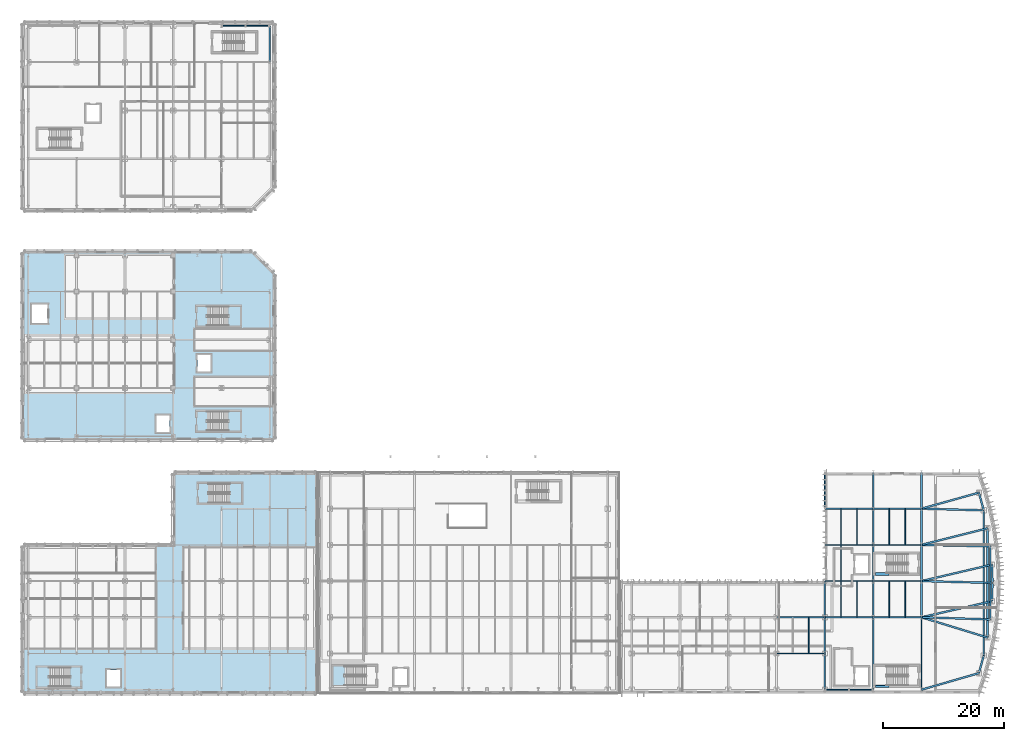
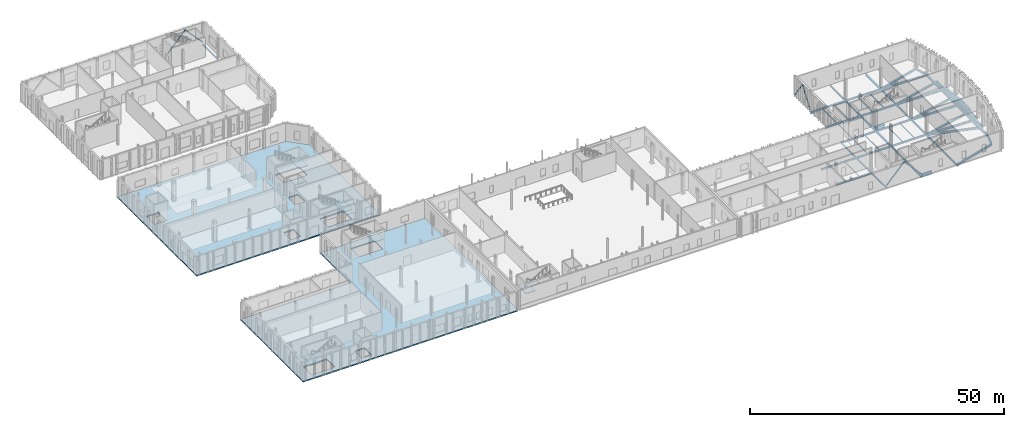
# One storey, part 14 of 60: 53 beams, 7 slabs, 6 members, 5 elements without a shape of their own.
"""IFC4 building model written with IfcOpenShell, lengths in metres."""

from ifc_helpers import new_model, si_unit, direction, frame, origin, origin_2d, place, context, subcontext, project, spatial, polyline, rectangle, hollow_circle, i_section, outline, extrude, material, layer, layer_set, material_profile, profile_set, type_object, element, aggregate, save


model = new_model("IFC4")

# Units and contexts
model_context = context("Model", 3, precision=1e-05, world=origin(), true_north=direction((0.0, 1.0)))
body_context = subcontext(model_context, "Body", "Model", "MODEL_VIEW")
ifc_project = project(units=[si_unit("LENGTHUNIT", "METRE"), si_unit("AREAUNIT", "SQUARE_METRE"), si_unit("VOLUMEUNIT", "CUBIC_METRE"), si_unit("PLANEANGLEUNIT", "RADIAN"), si_unit("MASSUNIT", "GRAM", prefix="KILO")], contexts=[model_context])

# Site, building, storey
site_placement = place(None, origin())
site = spatial("IfcSite", under=ifc_project, at=site_placement, CompositionType="ELEMENT")
building_placement = place(site_placement, origin())
building = spatial("IfcBuilding", under=site, at=building_placement, Name="Cymarion Research Institute", CompositionType="ELEMENT")
storey_placement = place(building_placement, origin())
storey = spatial("IfcBuildingStorey", under=building, at=storey_placement, Name="L00", CompositionType="ELEMENT", Elevation=0.0)

# Beams
ifc_material_1 = material(Name="Concrete C40/50", Category="concrete")
ifc_material_profile_1 = material_profile(ifc_material_1, rectangle(XDim=0.300048828125, YDim=0.75, at=origin_2d()), Name="RC 300x750")
ifc_profile_set_1 = profile_set([ifc_material_profile_1], Name="Concrete C40/50")
beam_type_1 = type_object("IfcBeamType", Name="COUPLING LINTEL LN01 RC 300x750", PredefinedType="LINTEL", material=ifc_profile_set_1)
beam_1_placement = place(storey_placement, frame((147.0, 6.050048828125, -0.695068359375), z_axis=(1.0, 0.0, 0.0), x_axis=(0.0, 1.0, 0.0)))
element("IfcBeam", 1, at=beam_1_placement, inside=storey, type_object=beam_type_1, Name="L00 C1 core coupling lintel LN01", PredefinedType="LINTEL", context=body_context, shape_type="SweptSolid", body=[
    extrude(rectangle(XDim=0.300048828125, YDim=0.75, at=origin_2d()), origin(), (0.0, 0.0, 1.0), 2.199951171875),
])
ifc_material_profile_2 = material_profile(ifc_material_1, rectangle(XDim=0.5, YDim=0.800048828125, at=origin_2d()), Name="RC 500x800")
ifc_profile_set_2 = profile_set([ifc_material_profile_2], Name="Concrete C40/50")
beam_type_2 = type_object("IfcBeamType", Name="COUPLING LINTEL LN03 RC 500x800", PredefinedType="LINTEL", material=ifc_profile_set_2)
beam_2_placement = place(storey_placement, frame((147.0, 24.64990234375, -0.719970703125), z_axis=(1.0, 0.0, 0.0), x_axis=(0.0, 1.0, 0.0)))
element("IfcBeam", 2, at=beam_2_placement, inside=storey, type_object=beam_type_2, Name="L00 C2 core coupling lintel LN03", PredefinedType="LINTEL", context=body_context, shape_type="SweptSolid", body=[
    extrude(rectangle(XDim=0.5, YDim=0.800048828125, at=origin_2d()), origin(), (0.0, 0.0, 1.0), 2.199951171875),
])
ifc_material_2 = material(Name="Steel S355", Category="steel")
ifc_material_profile_3 = material_profile(ifc_material_2, i_section(OverallWidth=0.199951171875, OverallDepth=0.5, WebThickness=0.01025390625, FlangeThickness=0.01611328125, FilletRadius=0.02099609375, at=origin_2d()), Name="IPE 500")
ifc_profile_set_3 = profile_set([ifc_material_profile_3], Name="Steel S355")
beam_type_3 = type_object("IfcBeamType", Name="PRIMARY GIRDER BM03 IPE 500", PredefinedType="BEAM", material=ifc_profile_set_3)
for number, where, z_axis, x_axis, name in (
    (3, (146.60009765625, 5.506103515625, -0.550048828125), (0.0, 1.0, 0.0), (-1.0, 0.0, 0.0), "L00 V1 girder BM03 #32"),
    (4, (154.60009765625, 5.506103515625, -0.550048828125), (0.0, 1.0, 0.0), (-1.0, 0.0, 0.0), "L00 V1 girder BM03 #37"),
):
    element("IfcBeam", number, at=place(storey_placement, frame(where, z_axis=z_axis, x_axis=x_axis)), inside=storey, type_object=beam_type_3, Name=name, PredefinedType="BEAM", context=body_context, shape_type="SweptSolid", body=[
        extrude(i_section(OverallWidth=0.199951171875, OverallDepth=0.5, WebThickness=0.01025390625, FlangeThickness=0.01611328125, FilletRadius=0.02099609375, at=origin_2d()), origin(), (0.0, 0.0, 1.0), 11.98779296875),
    ])
ifc_material_profile_4 = material_profile(ifc_material_2, i_section(OverallWidth=0.18994140625, OverallDepth=0.449951171875, WebThickness=0.009521484375, FlangeThickness=0.0146484375, FilletRadius=0.02099609375, at=origin_2d()), Name="IPE 450")
ifc_profile_set_4 = profile_set([ifc_material_profile_4], Name="Steel S355")
beam_type_4 = type_object("IfcBeamType", Name="PRIMARY GIRDER BM04 IPE 450", PredefinedType="BEAM", material=ifc_profile_set_4)
for number, where, z_axis, x_axis, name in (
    (5, (130.60595703125, 11.5, -0.52490234375), (1.0, 0.0, 0.0), (0.0, 1.0, 0.0), "L00 V1 girder BM04 #4"),
    (6, (130.60595703125, 17.5, -0.52490234375), (1.0, 0.0, 0.0), (0.0, 1.0, 0.0), "L00 V1 girder BM04 #8"),
    (7, (138.60595703125, 17.5, -0.52490234375), (1.0, 0.0, 0.0), (0.0, 1.0, 0.0), "L00 V1 girder BM04 #9"),
    (8, (146.60595703125, 17.5, -0.52490234375), (1.0, 0.0, 0.0), (0.0, 1.0, 0.0), "L00 V1 girder BM04 #10"),
    (9, (138.60595703125, 23.5, -0.52490234375), (1.0, 0.0, 0.0), (0.0, 1.0, 0.0), "L00 V1 girder BM04 #11"),
    (10, (146.60595703125, 23.5, -0.52490234375), (1.0, 0.0, 0.0), (0.0, 1.0, 0.0), "L00 V1 girder BM04 #12"),
    (11, (138.60595703125, 29.5, -0.52490234375), (1.0, 0.0, 0.0), (0.0, 1.0, 0.0), "L00 V1 girder BM04 #13"),
    (12, (146.60595703125, 29.5, -0.52490234375), (1.0, 0.0, 0.0), (0.0, 1.0, 0.0), "L00 V1 girder BM04 #14"),
    (13, (138.60595703125, 35.5, -0.52490234375), (1.0, 0.0, 0.0), (0.0, 1.0, 0.0), "L00 V1 girder BM04 #15"),
    (14, (146.60595703125, 35.5, -0.52490234375), (1.0, 0.0, 0.0), (0.0, 1.0, 0.0), "L00 V1 girder BM04 #16"),
):
    element("IfcBeam", number, at=place(storey_placement, frame(where, z_axis=z_axis, x_axis=x_axis)), inside=storey, type_object=beam_type_4, Name=name, PredefinedType="BEAM", context=body_context, shape_type="SweptSolid", body=[
        extrude(i_section(OverallWidth=0.18994140625, OverallDepth=0.449951171875, WebThickness=0.009521484375, FlangeThickness=0.0146484375, FilletRadius=0.02099609375, at=origin_2d()), origin(), (0.0, 0.0, 1.0), 7.988037109375),
    ])
ifc_material_profile_5 = material_profile(ifc_material_2, i_section(OverallWidth=0.300048828125, OverallDepth=0.550048828125, WebThickness=0.014892578125, FlangeThickness=0.029052734375, FilletRadius=0.027099609375, at=origin_2d()), Name="HEB 550")
ifc_profile_set_5 = profile_set([ifc_material_profile_5], Name="Steel S355")
beam_type_5 = type_object("IfcBeamType", Name="PRIMARY GIRDER BM08 HEB 550", PredefinedType="BEAM", material=ifc_profile_set_5)
beam_3_placement = place(storey_placement, frame((164.929931640625, 11.1787109375, -0.574951171875), z_axis=(0.0, 1.0, 0.0), x_axis=(-1.0, 0.0, 0.0)))
element("IfcBeam", 15, at=beam_3_placement, inside=storey, type_object=beam_type_5, Name="L00 V1 girder BM08 #42", PredefinedType="BEAM", context=body_context, shape_type="SweptSolid", body=[
    extrude(i_section(OverallWidth=0.300048828125, OverallDepth=0.550048828125, WebThickness=0.014892578125, FlangeThickness=0.029052734375, FilletRadius=0.027099609375, at=origin_2d()), origin(), (0.0, 0.0, 1.0), 24.04248046875),
])
beam_4_placement = place(storey_placement, frame((165.56005859375, 14.1474609375, -0.574951171875), z_axis=(0.0, 1.0, 0.0), x_axis=(-1.0, 0.0, 0.0)))
element("IfcBeam", 16, at=beam_4_placement, inside=storey, type_object=beam_type_5, Name="L00 V1 girder BM08 #43", PredefinedType="BEAM", context=body_context, shape_type="SweptSolid", body=[
    extrude(i_section(OverallWidth=0.300048828125, OverallDepth=0.550048828125, WebThickness=0.014892578125, FlangeThickness=0.029052734375, FilletRadius=0.027099609375, at=origin_2d()), origin(), (0.0, 0.0, 1.0), 18.10498046875),
])
beam_5_placement = place(storey_placement, frame((166.010009765625, 17.148681640625, -0.574951171875), z_axis=(0.0, 1.0, 0.0), x_axis=(-1.0, 0.0, 0.0)))
element("IfcBeam", 17, at=beam_5_placement, inside=storey, type_object=beam_type_5, Name="L00 V1 girder BM08 #44", PredefinedType="BEAM", context=body_context, shape_type="SweptSolid", body=[
    extrude(i_section(OverallWidth=0.300048828125, OverallDepth=0.550048828125, WebThickness=0.014892578125, FlangeThickness=0.029052734375, FilletRadius=0.027099609375, at=origin_2d()), origin(), (0.0, 0.0, 1.0), 12.1025390625),
])
ifc_material_profile_6 = material_profile(ifc_material_2, i_section(OverallWidth=0.300048828125, OverallDepth=0.5, WebThickness=0.014404296875, FlangeThickness=0.028076171875, FilletRadius=0.027099609375, at=origin_2d()), Name="HEB 500")
ifc_profile_set_6 = profile_set([ifc_material_profile_6], Name="Steel S355")
beam_type_6 = type_object("IfcBeamType", Name="PRIMARY GIRDER BM09 HEB 500", PredefinedType="BEAM", material=ifc_profile_set_6)
beam_6_placement = place(storey_placement, frame((154.607666015625, 5.502197265625, -0.550048828125), z_axis=(0.960790340878, 0.277275893067, 0.0), x_axis=(-0.277275893067, 0.960790340878, 0.0)))
element("IfcBeam", 18, at=beam_6_placement, inside=storey, type_object=beam_type_6, Name="L00 V1 radial prow girder BM09 #49", PredefinedType="BEAM", context=body_context, shape_type="SweptSolid", body=[
    extrude(i_section(OverallWidth=0.300048828125, OverallDepth=0.5, WebThickness=0.014404296875, FlangeThickness=0.028076171875, FilletRadius=0.027099609375, at=origin_2d()), origin(), (0.0, 0.0, 1.0), 9.8916015625),
])
beam_7_placement = place(storey_placement, frame((154.607666015625, 17.497802734375, -0.550048828125), z_axis=(0.956111343016, -0.29300358318, 0.0), x_axis=(0.29300358318, 0.956111343016, 0.0)))
element("IfcBeam", 19, at=beam_7_placement, inside=storey, type_object=beam_type_6, Name="L00 V1 radial prow girder BM09 #50", PredefinedType="BEAM", context=body_context, shape_type="SweptSolid", body=[
    extrude(i_section(OverallWidth=0.300048828125, OverallDepth=0.5, WebThickness=0.014404296875, FlangeThickness=0.028076171875, FilletRadius=0.027099609375, at=origin_2d()), origin(), (0.0, 0.0, 1.0), 11.447021484375),
])
beam_8_placement = place(storey_placement, frame((154.60791015625, 17.499755859375, -0.550048828125), z_axis=(0.999510612774, -0.03128154332, 0.0), x_axis=(0.03128154332, 0.999510612774, 0.0)))
element("IfcBeam", 20, at=beam_8_placement, inside=storey, type_object=beam_type_6, Name="L00 V1 radial prow girder BM09 #51", PredefinedType="BEAM", context=body_context, shape_type="SweptSolid", body=[
    extrude(i_section(OverallWidth=0.300048828125, OverallDepth=0.5, WebThickness=0.014404296875, FlangeThickness=0.028076171875, FilletRadius=0.027099609375, at=origin_2d()), origin(), (0.0, 0.0, 1.0), 11.402587890625),
])
beam_9_placement = place(storey_placement, frame((154.60791015625, 17.501708984375, -0.550048828125), z_axis=(0.974944767555, 0.222447072846, 0.0), x_axis=(-0.222447072846, 0.974944767555, 0.0)))
element("IfcBeam", 21, at=beam_9_placement, inside=storey, type_object=beam_type_6, Name="L00 V1 radial prow girder BM09 #52", PredefinedType="BEAM", context=body_context, shape_type="SweptSolid", body=[
    extrude(i_section(OverallWidth=0.300048828125, OverallDepth=0.5, WebThickness=0.014404296875, FlangeThickness=0.028076171875, FilletRadius=0.027099609375, at=origin_2d()), origin(), (0.0, 0.0, 1.0), 11.969482421875),
])
beam_10_placement = place(storey_placement, frame((154.60791015625, 23.499755859375, -0.550048828125), z_axis=(0.999675752574, -0.025463497715, 0.0), x_axis=(0.025463497715, 0.999675752574, 0.0)))
element("IfcBeam", 22, at=beam_10_placement, inside=storey, type_object=beam_type_6, Name="L00 V1 radial prow girder BM09 #53", PredefinedType="BEAM", context=body_context, shape_type="SweptSolid", body=[
    extrude(i_section(OverallWidth=0.300048828125, OverallDepth=0.5, WebThickness=0.014404296875, FlangeThickness=0.028076171875, FilletRadius=0.027099609375, at=origin_2d()), origin(), (0.0, 0.0, 1.0), 11.764404296875),
])
beam_11_placement = place(storey_placement, frame((154.60791015625, 23.501708984375, -0.550048828125), z_axis=(0.973701737176, 0.22782652835, 0.0), x_axis=(-0.22782652835, 0.973701737176, 0.0)))
element("IfcBeam", 23, at=beam_11_placement, inside=storey, type_object=beam_type_6, Name="L00 V1 radial prow girder BM09 #54", PredefinedType="BEAM", context=body_context, shape_type="SweptSolid", body=[
    extrude(i_section(OverallWidth=0.300048828125, OverallDepth=0.5, WebThickness=0.014404296875, FlangeThickness=0.028076171875, FilletRadius=0.027099609375, at=origin_2d()), origin(), (0.0, 0.0, 1.0), 11.98486328125),
])
beam_12_placement = place(storey_placement, frame((154.60791015625, 29.499755859375, -0.550048828125), z_axis=(0.999773836643, -0.021266771342, 0.0), x_axis=(0.021266771342, 0.999773836643, 0.0)))
element("IfcBeam", 24, at=beam_12_placement, inside=storey, type_object=beam_type_6, Name="L00 V1 radial prow girder BM09 #55", PredefinedType="BEAM", context=body_context, shape_type="SweptSolid", body=[
    extrude(i_section(OverallWidth=0.300048828125, OverallDepth=0.5, WebThickness=0.014404296875, FlangeThickness=0.028076171875, FilletRadius=0.027099609375, at=origin_2d()), origin(), (0.0, 0.0, 1.0), 11.399658203125),
])
beam_13_placement = place(storey_placement, frame((154.60791015625, 29.501953125, -0.550048828125), z_axis=(0.969753132193, 0.244087817399, 0.0), x_axis=(-0.244087817399, 0.969753132193, 0.0)))
element("IfcBeam", 25, at=beam_13_placement, inside=storey, type_object=beam_type_6, Name="L00 V1 radial prow girder BM09 #56", PredefinedType="BEAM", context=body_context, shape_type="SweptSolid", body=[
    extrude(i_section(OverallWidth=0.300048828125, OverallDepth=0.5, WebThickness=0.014404296875, FlangeThickness=0.028076171875, FilletRadius=0.027099609375, at=origin_2d()), origin(), (0.0, 0.0, 1.0), 11.285400390625),
])
beam_14_placement = place(storey_placement, frame((154.60791015625, 35.499755859375, -0.550048828125), z_axis=(0.999651753998, -0.026388837201, 0.0), x_axis=(0.026388837201, 0.999651753998, 0.0)))
element("IfcBeam", 26, at=beam_14_placement, inside=storey, type_object=beam_type_6, Name="L00 V1 radial prow girder BM09 #57", PredefinedType="BEAM", context=body_context, shape_type="SweptSolid", body=[
    extrude(i_section(OverallWidth=0.300048828125, OverallDepth=0.5, WebThickness=0.014404296875, FlangeThickness=0.028076171875, FilletRadius=0.027099609375, at=origin_2d()), origin(), (0.0, 0.0, 1.0), 10.315673828125),
])
beam_15_placement = place(storey_placement, frame((154.607666015625, 35.502197265625, -0.550048828125), z_axis=(0.963288176514, 0.26846953084, 0.0), x_axis=(-0.26846953084, 0.963288176514, 0.0)))
element("IfcBeam", 27, at=beam_15_placement, inside=storey, type_object=beam_type_6, Name="L00 V1 radial prow girder BM09 #58", PredefinedType="BEAM", context=body_context, shape_type="SweptSolid", body=[
    extrude(i_section(OverallWidth=0.300048828125, OverallDepth=0.5, WebThickness=0.014404296875, FlangeThickness=0.028076171875, FilletRadius=0.027099609375, at=origin_2d()), origin(), (0.0, 0.0, 1.0), 9.865966796875),
])
ifc_material_profile_7 = material_profile(ifc_material_2, i_section(OverallWidth=0.300048828125, OverallDepth=0.449951171875, WebThickness=0.013916015625, FlangeThickness=0.02587890625, FilletRadius=0.027099609375, at=origin_2d()), Name="HEB 450")
ifc_profile_set_7 = profile_set([ifc_material_profile_7], Name="Steel S355")
beam_type_7 = type_object("IfcBeamType", Name="PRIMARY GIRDER BM10 HEB 450", PredefinedType="BEAM", material=ifc_profile_set_7)
beam_16_placement = place(storey_placement, frame((164.12109375, 8.254638671875, -0.52490234375), z_axis=(0.266488575035, 0.963838077364, 0.0), x_axis=(-0.963838077364, 0.266488575035, 0.0)))
element("IfcBeam", 28, at=beam_16_placement, inside=storey, type_object=beam_type_7, Name="L00 V1 prow ring girder BM10 #45", PredefinedType="BEAM", context=body_context, shape_type="SweptSolid", body=[
    extrude(i_section(OverallWidth=0.300048828125, OverallDepth=0.449951171875, WebThickness=0.013916015625, FlangeThickness=0.02587890625, FilletRadius=0.027099609375, at=origin_2d()), origin(), (0.0, 0.0, 1.0), 3.01953125),
])
beam_17_placement = place(storey_placement, frame((166.28564453125, 20.174072265625, -0.52490234375), z_axis=(0.030000243484, 0.999549891397, 0.0), x_axis=(-0.999549891397, 0.030000243484, 0.0)))
element("IfcBeam", 29, at=beam_17_placement, inside=storey, type_object=beam_type_7, Name="L00 V1 prow ring girder BM10 #46", PredefinedType="BEAM", context=body_context, shape_type="SweptSolid", body=[
    extrude(i_section(OverallWidth=0.300048828125, OverallDepth=0.449951171875, WebThickness=0.013916015625, FlangeThickness=0.02587890625, FilletRadius=0.027099609375, at=origin_2d()), origin(), (0.0, 0.0, 1.0), 3.019287109375),
])
beam_18_placement = place(storey_placement, frame((166.376220703125, 23.2080078125, -0.52490234375), z_axis=(-0.029997818857, 0.999549964166, 0.0), x_axis=(-0.999549964166, -0.029997818857, 0.0)))
element("IfcBeam", 30, at=beam_18_placement, inside=storey, type_object=beam_type_7, Name="L00 V1 prow ring girder BM10 #47", PredefinedType="BEAM", context=body_context, shape_type="SweptSolid", body=[
    extrude(i_section(OverallWidth=0.300048828125, OverallDepth=0.449951171875, WebThickness=0.013916015625, FlangeThickness=0.02587890625, FilletRadius=0.027099609375, at=origin_2d()), origin(), (0.0, 0.0, 1.0), 3.01953125),
])
beam_19_placement = place(storey_placement, frame((164.92578125, 35.235107421875, -0.52490234375), z_axis=(-0.266509343606, 0.963832334885, 0.0), x_axis=(-0.963832334885, -0.266509343606, 0.0)))
element("IfcBeam", 31, at=beam_19_placement, inside=storey, type_object=beam_type_7, Name="L00 V1 prow ring girder BM10 #48", PredefinedType="BEAM", context=body_context, shape_type="SweptSolid", body=[
    extrude(i_section(OverallWidth=0.300048828125, OverallDepth=0.449951171875, WebThickness=0.013916015625, FlangeThickness=0.02587890625, FilletRadius=0.027099609375, at=origin_2d()), origin(), (0.0, 0.0, 1.0), 3.019287109375),
])
ifc_material_profile_8 = material_profile(ifc_material_2, i_section(OverallWidth=0.300048828125, OverallDepth=0.35009765625, WebThickness=0.010009765625, FlangeThickness=0.017578125, FilletRadius=0.027099609375, at=origin_2d()), Name="HEA 360")
ifc_profile_set_8 = profile_set([ifc_material_profile_8], Name="Steel S355")
beam_type_8 = type_object("IfcBeamType", Name="PRIMARY GIRDER BM12 HEA 360", PredefinedType="BEAM", material=ifc_profile_set_8)
for number, where, z_axis, x_axis, name in (
    (32, (146.60009765625, 17.506103515625, -0.47509765625), (0.0, 1.0, 0.0), (-1.0, 0.0, 0.0), "L00 V1 girder BM12 #33"),
    (33, (146.60009765625, 23.506103515625, -0.47509765625), (0.0, 1.0, 0.0), (-1.0, 0.0, 0.0), "L00 V1 girder BM12 #34"),
    (34, (146.60009765625, 29.506103515625, -0.47509765625), (0.0, 1.0, 0.0), (-1.0, 0.0, 0.0), "L00 V1 girder BM12 #35"),
    (35, (146.60009765625, 35.506103515625, -0.47509765625), (0.0, 1.0, 0.0), (-1.0, 0.0, 0.0), "L00 V1 girder BM12 #36"),
    (36, (154.60009765625, 17.506103515625, -0.47509765625), (0.0, 1.0, 0.0), (-1.0, 0.0, 0.0), "L00 V1 girder BM12 #38"),
    (37, (154.60009765625, 23.506103515625, -0.47509765625), (0.0, 1.0, 0.0), (-1.0, 0.0, 0.0), "L00 V1 girder BM12 #39"),
    (38, (154.60009765625, 29.506103515625, -0.47509765625), (0.0, 1.0, 0.0), (-1.0, 0.0, 0.0), "L00 V1 girder BM12 #40"),
    (39, (154.60009765625, 35.506103515625, -0.47509765625), (0.0, 1.0, 0.0), (-1.0, 0.0, 0.0), "L00 V1 girder BM12 #41"),
):
    element("IfcBeam", number, at=place(storey_placement, frame(where, z_axis=z_axis, x_axis=x_axis)), inside=storey, type_object=beam_type_8, Name=name, PredefinedType="BEAM", context=body_context, shape_type="SweptSolid", body=[
        extrude(i_section(OverallWidth=0.300048828125, OverallDepth=0.35009765625, WebThickness=0.010009765625, FlangeThickness=0.017578125, FilletRadius=0.027099609375, at=origin_2d()), origin(), (0.0, 0.0, 1.0), 5.98779296875),
    ])
ifc_material_profile_9 = material_profile(ifc_material_2, i_section(OverallWidth=0.1201171875, OverallDepth=0.239990234375, WebThickness=0.006103515625, FlangeThickness=0.009765625, FilletRadius=0.014892578125, at=origin_2d()), Name="IPE 240")
ifc_profile_set_9 = profile_set([ifc_material_profile_9], Name="Steel S355")
beam_type_9 = type_object("IfcBeamType", Name="SECONDARY JOIST JS04 IPE 240", PredefinedType="JOIST", material=ifc_profile_set_9)
for number, where, z_axis, x_axis, name in (
    (40, (135.933349609375, 11.59912109375, -0.419921875), (0.0, 1.0, 0.0), (-1.0, 0.0, 0.0), "L00 V1 secondary joist JS04 #66"),
    (41, (141.2666015625, 17.59912109375, -0.419921875), (0.0, 1.0, 0.0), (-1.0, 0.0, 0.0), "L00 V1 secondary joist JS04 #67"),
    (42, (143.933349609375, 17.59912109375, -0.419921875), (0.0, 1.0, 0.0), (-1.0, 0.0, 0.0), "L00 V1 secondary joist JS04 #68"),
    (43, (149.2666015625, 17.59912109375, -0.419921875), (0.0, 1.0, 0.0), (-1.0, 0.0, 0.0), "L00 V1 secondary joist JS04 #69"),
    (44, (151.933349609375, 17.59912109375, -0.419921875), (0.0, 1.0, 0.0), (-1.0, 0.0, 0.0), "L00 V1 secondary joist JS04 #70"),
    (45, (141.2666015625, 23.59912109375, -0.419921875), (0.0, 1.0, 0.0), (-1.0, 0.0, 0.0), "L00 V1 secondary joist JS04 #71"),
    (46, (141.2666015625, 29.59912109375, -0.419921875), (0.0, 1.0, 0.0), (-1.0, 0.0, 0.0), "L00 V1 secondary joist JS04 #72"),
    (47, (143.933349609375, 29.59912109375, -0.419921875), (0.0, 1.0, 0.0), (-1.0, 0.0, 0.0), "L00 V1 secondary joist JS04 #73"),
    (48, (149.2666015625, 29.59912109375, -0.419921875), (0.0, 1.0, 0.0), (-1.0, 0.0, 0.0), "L00 V1 secondary joist JS04 #74"),
    (49, (151.933349609375, 29.59912109375, -0.419921875), (0.0, 1.0, 0.0), (-1.0, 0.0, 0.0), "L00 V1 secondary joist JS04 #75"),
):
    element("IfcBeam", number, at=place(storey_placement, frame(where, z_axis=z_axis, x_axis=x_axis)), inside=storey, type_object=beam_type_9, Name=name, PredefinedType="JOIST", context=body_context, shape_type="SweptSolid", body=[
        extrude(i_section(OverallWidth=0.1201171875, OverallDepth=0.239990234375, WebThickness=0.006103515625, FlangeThickness=0.009765625, FilletRadius=0.014892578125, at=origin_2d()), origin(), (0.0, 0.0, 1.0), 5.8017578125),
    ])
ifc_material_profile_10 = material_profile(ifc_material_2, i_section(OverallWidth=0.239990234375, OverallDepth=0.22998046875, WebThickness=0.007568359375, FlangeThickness=0.011962890625, FilletRadius=0.02099609375, at=origin_2d()), Name="HEA 240")
ifc_profile_set_10 = profile_set([ifc_material_profile_10], Name="Steel S355")
beam_type_10 = type_object("IfcBeamType", Name="SPANDREL BEAM SPB03 HEA 240", PredefinedType="SPANDREL", material=ifc_profile_set_10)
for number, where, z_axis, x_axis, name in (
    (50, (138.60009765625, 5.506103515625, -0.4150390625), (0.0, 1.0, 0.0), (-1.0, 0.0, 0.0), "L00 V1 girder SPB03 #29"),
    (51, (138.60009765625, 11.506103515625, -0.4150390625), (0.0, 1.0, 0.0), (-1.0, 0.0, 0.0), "L00 V1 girder SPB03 #30"),
    (52, (138.60009765625, 17.506103515625, -0.4150390625), (0.0, 1.0, 0.0), (-1.0, 0.0, 0.0), "L00 V1 girder SPB03 #31"),
    (53, (46.60009765625, 109.506103515625, -0.4150390625), (0.0, 1.0, 0.0), (-1.0, 0.0, 0.0), "L00 V5 girder SPB03 #335"),
):
    element("IfcBeam", number, at=place(storey_placement, frame(where, z_axis=z_axis, x_axis=x_axis)), inside=storey, type_object=beam_type_10, Name=name, PredefinedType="SPANDREL", context=body_context, shape_type="SweptSolid", body=[
        extrude(i_section(OverallWidth=0.239990234375, OverallDepth=0.22998046875, WebThickness=0.007568359375, FlangeThickness=0.011962890625, FilletRadius=0.02099609375, at=origin_2d()), origin(), (0.0, 0.0, 1.0), 5.98779296875),
    ])

# Members
ifc_material_profile_11 = material_profile(ifc_material_2, hollow_circle(Radius=0.122314453125, WallThickness=0.012451171875, at=origin_2d()), Name="CHS 244.5x12.5")
ifc_profile_set_11 = profile_set([ifc_material_profile_11], Name="Steel S355")
member_type_1 = type_object("IfcMemberType", Name="STRUCTURAL MEMBER BR03 CHS 244.5x12.5", PredefinedType="BRACE", material=ifc_profile_set_11)
for number, where, z_axis, x_axis, name in (
    (54, (138.60009765625, 35.511474609375, 0.1201171875), (0.0, 0.570897453488, 0.821021374631), (-1.0, 0.0, 0.0), "L00 V1 seismic chevron brace BR03 #1"),
    (55, (138.60009765625, 41.488525390625, 0.1201171875), (0.0, -0.570897453488, 0.821021374631), (1.0, 0.0, 0.0), "L00 V1 seismic chevron brace BR03 #2"),
):
    element("IfcMember", number, at=place(storey_placement, frame(where, z_axis=z_axis, x_axis=x_axis)), inside=storey, type_object=member_type_1, Name=name, PredefinedType="BRACE", context=body_context, shape_type="SweptSolid", body=[
        extrude(hollow_circle(Radius=0.122314453125, WallThickness=0.012451171875, at=origin_2d()), origin(), (0.0, 0.0, 1.0), 5.224853515625),
    ])
for number, where, z_axis, x_axis, name in (
    (56, (38.613525390625, 115.5, 0.1201171875), (0.68011656358, 0.0, 0.733103989857), (0.0, 1.0, 0.0), "L00 V5 seismic chevron brace BR03 #1"),
    (57, (46.58642578125, 115.5, 0.1201171875), (-0.68011656358, 0.0, 0.733103989857), (0.0, -1.0, 0.0), "L00 V5 seismic chevron brace BR03 #2"),
):
    element("IfcMember", number, at=place(storey_placement, frame(where, z_axis=z_axis, x_axis=x_axis)), inside=storey, type_object=member_type_1, Name=name, PredefinedType="BRACE", context=body_context, shape_type="SweptSolid", body=[
        extrude(hollow_circle(Radius=0.122314453125, WallThickness=0.012451171875, at=origin_2d()), origin(), (0.0, 0.0, 1.0), 5.8515625),
    ])
ifc_material_profile_12 = material_profile(ifc_material_2, hollow_circle(Radius=0.136474609375, WallThickness=0.012451171875, at=origin_2d()), Name="CHS 273.0x12.5")
ifc_profile_set_12 = profile_set([ifc_material_profile_12], Name="Steel S355")
member_type_2 = type_object("IfcMemberType", Name="STRUCTURAL MEMBER BR04 CHS 273.0x12.5", PredefinedType="BRACE", material=ifc_profile_set_12)
for number, where, z_axis, x_axis, name in (
    (58, (138.613525390625, 5.5, 0.1201171875), (0.68011656358, 0.0, 0.733103989857), (0.0, 1.0, 0.0), "L00 V1 seismic chevron brace BR04 #1"),
    (59, (146.58642578125, 5.5, 0.1201171875), (-0.68011656358, 0.0, 0.733103989857), (0.0, -1.0, 0.0), "L00 V1 seismic chevron brace BR04 #2"),
):
    element("IfcMember", number, at=place(storey_placement, frame(where, z_axis=z_axis, x_axis=x_axis)), inside=storey, type_object=member_type_2, Name=name, PredefinedType="BRACE", context=body_context, shape_type="SweptSolid", body=[
        extrude(hollow_circle(Radius=0.136474609375, WallThickness=0.012451171875, at=origin_2d()), origin(), (0.0, 0.0, 1.0), 5.8515625),
    ])

# Slabs
ifc_material_3 = material(Name="Concrete C35/45", Category="concrete")
ifc_layer_1 = layer(ifc_material_3, 0.300048828125)
ifc_layer_set_1 = layer_set([ifc_layer_1], Name="Concrete C35/45")
slab_type_1 = type_object("IfcSlabType", Name="COMPOSITE FLOOR SLAB SL-FL300 300MM", PredefinedType="FLOOR", material=ifc_layer_set_1)
slab_1_placement = place(storey_placement, frame((0.0, 0.0, -0.300048828125)))
element("IfcSlab", 60, at=slab_1_placement, inside=storey, type_object=slab_type_1, Name="L00 V3 floor slab", PredefinedType="FLOOR", context=body_context, shape_type="SweptSolid", body=[
    extrude(outline(polyline([(5.60009765625, 4.89990234375), (54.5, 4.89990234375), (54.5, 41.5), (30.60009765625, 41.5), (30.60009765625, 29.5), (5.60009765625, 29.5), (5.60009765625, 4.89990234375)]), holes=[polyline([(13.4599609375, 9.199951171875), (8.10009765625, 9.199951171875), (8.10009765625, 6.0), (13.4599609375, 6.0), (13.4599609375, 9.199951171875)]), polyline([(19.60009765625, 6.0), (21.800048828125, 6.0), (21.800048828125, 8.800048828125), (19.60009765625, 8.800048828125), (19.60009765625, 6.0)]), polyline([(36.5400390625, 36.449951171875), (41.89990234375, 36.449951171875), (41.89990234375, 39.64990234375), (36.5400390625, 39.64990234375), (36.5400390625, 36.449951171875)])]), origin(), (0.0, 0.0, 1.0), 0.300048828125),
])
slab_2_placement = place(storey_placement, frame((0.0, 0.0, -0.300048828125)))
element("IfcSlab", 61, at=slab_2_placement, inside=storey, type_object=slab_type_1, Name="L00 V4 floor slab", PredefinedType="FLOOR", context=body_context, shape_type="SweptSolid", body=[
    extrude(outline(polyline([(5.60009765625, 46.89990234375), (47.39990234375, 46.89990234375), (47.39990234375, 74.5), (43.800048828125, 78.10009765625), (5.60009765625, 78.10009765625), (5.60009765625, 46.89990234375)]), holes=[polyline([(36.340087890625, 48.39990234375), (41.699951171875, 48.39990234375), (41.699951171875, 51.60009765625), (36.340087890625, 51.60009765625), (36.340087890625, 48.39990234375)]), polyline([(27.800048828125, 48.199951171875), (30.0, 48.199951171875), (30.0, 51.0), (27.800048828125, 51.0), (27.800048828125, 48.199951171875)]), polyline([(36.340087890625, 65.800048828125), (41.699951171875, 65.800048828125), (41.699951171875, 69.0), (36.340087890625, 69.0), (36.340087890625, 65.800048828125)]), polyline([(34.60009765625, 58.199951171875), (36.800048828125, 58.199951171875), (36.800048828125, 61.0), (34.60009765625, 61.0), (34.60009765625, 58.199951171875)]), polyline([(7.199951171875, 66.199951171875), (9.800048828125, 66.199951171875), (9.800048828125, 69.39990234375), (7.199951171875, 69.39990234375), (7.199951171875, 66.199951171875)])]), origin(), (0.0, 0.0, 1.0), 0.300048828125),
])

# Stair, slab
stair_type = type_object("IfcStairType", Name="REINFORCED CONCRETE DOGLEG STAIR STR-4800", PredefinedType="HALF_TURN_STAIR", material=ifc_material_3)
stair_1_placement = place(storey_placement, origin())
stair_1 = element("IfcStair", 62, at=stair_1_placement, inside=storey, type_object=stair_type, Name="L00 Core C3 Smoke-Proof Exit Stair ST3", PredefinedType="HALF_TURN_STAIR")
ifc_layer_2 = layer(ifc_material_3, 0.199951171875)
ifc_layer_set_2 = layer_set([ifc_layer_2], Name="Concrete C35/45")
slab_type_2 = type_object("IfcSlabType", Name="REINFORCED CONCRETE STAIR LANDING LDG200", PredefinedType="LANDING", material=ifc_layer_set_2)
slab_3_placement = place(storey_placement, frame((0.0, 0.0, 2.199951171875)))
slab_3 = element("IfcSlab", 63, at=slab_3_placement, type_object=slab_type_2, Name="ST3 landing 1", PredefinedType="LANDING", context=body_context, shape_type="SweptSolid", body=[
    extrude(outline(polyline([(59.1201171875, 9.52001953125), (59.1201171875, 6.080078125), (56.97998046875, 6.080078125), (56.97998046875, 9.52001953125), (59.1201171875, 9.52001953125)])), origin(), (0.0, 0.0, 1.0), 0.199951171875),
])
aggregate(stair_1, [slab_3])

stair_2_placement = place(storey_placement, origin())
stair_2 = element("IfcStair", 64, at=stair_2_placement, inside=storey, type_object=stair_type, Name="L00 Core C5 Smoke-Proof Exit Stair ST5", PredefinedType="HALF_TURN_STAIR")
slab_4_placement = place(storey_placement, frame((0.0, 0.0, 2.199951171875)))
slab_4 = element("IfcSlab", 65, at=slab_4_placement, type_object=slab_type_2, Name="ST5 landing 1", PredefinedType="LANDING", context=body_context, shape_type="SweptSolid", body=[
    extrude(outline(polyline([(10.1201171875, 9.320068359375), (10.1201171875, 5.8798828125), (7.97998046875, 5.8798828125), (7.97998046875, 9.320068359375), (10.1201171875, 9.320068359375)])), origin(), (0.0, 0.0, 1.0), 0.199951171875),
])
aggregate(stair_2, [slab_4])

stair_3_placement = place(storey_placement, origin())
stair_3 = element("IfcStair", 66, at=stair_3_placement, inside=storey, type_object=stair_type, Name="L00 Core C6 Smoke-Proof Exit Stair ST6", PredefinedType="HALF_TURN_STAIR")
slab_5_placement = place(storey_placement, frame((0.0, 0.0, 2.199951171875)))
slab_5 = element("IfcSlab", 67, at=slab_5_placement, type_object=slab_type_2, Name="ST6 landing 1", PredefinedType="LANDING", context=body_context, shape_type="SweptSolid", body=[
    extrude(outline(polyline([(39.8798828125, 36.330078125), (39.8798828125, 39.77001953125), (42.02001953125, 39.77001953125), (42.02001953125, 36.330078125), (39.8798828125, 36.330078125)])), origin(), (0.0, 0.0, 1.0), 0.199951171875),
])
aggregate(stair_3, [slab_5])

stair_4_placement = place(storey_placement, origin())
stair_4 = element("IfcStair", 68, at=stair_4_placement, inside=storey, type_object=stair_type, Name="L00 Core C7 Smoke-Proof Exit Stair ST7", PredefinedType="HALF_TURN_STAIR")
slab_6_placement = place(storey_placement, frame((0.0, 0.0, 2.199951171875)))
slab_6 = element("IfcSlab", 69, at=slab_6_placement, type_object=slab_type_2, Name="ST7 landing 1", PredefinedType="LANDING", context=body_context, shape_type="SweptSolid", body=[
    extrude(outline(polyline([(39.679931640625, 48.280029296875), (39.679931640625, 51.719970703125), (41.820068359375, 51.719970703125), (41.820068359375, 48.280029296875), (39.679931640625, 48.280029296875)])), origin(), (0.0, 0.0, 1.0), 0.199951171875),
])
aggregate(stair_4, [slab_6])

stair_5_placement = place(storey_placement, origin())
stair_5 = element("IfcStair", 70, at=stair_5_placement, inside=storey, type_object=stair_type, Name="L00 Core C8 Smoke-Proof Exit Stair ST8", PredefinedType="HALF_TURN_STAIR")
slab_7_placement = place(storey_placement, frame((0.0, 0.0, 2.199951171875)))
slab_7 = element("IfcSlab", 71, at=slab_7_placement, type_object=slab_type_2, Name="ST8 landing 1", PredefinedType="LANDING", context=body_context, shape_type="SweptSolid", body=[
    extrude(outline(polyline([(39.679931640625, 65.679931640625), (39.679931640625, 69.1201171875), (41.820068359375, 69.1201171875), (41.820068359375, 65.679931640625), (39.679931640625, 65.679931640625)])), origin(), (0.0, 0.0, 1.0), 0.199951171875),
])
aggregate(stair_5, [slab_7])

save(model, "model.ifc")
